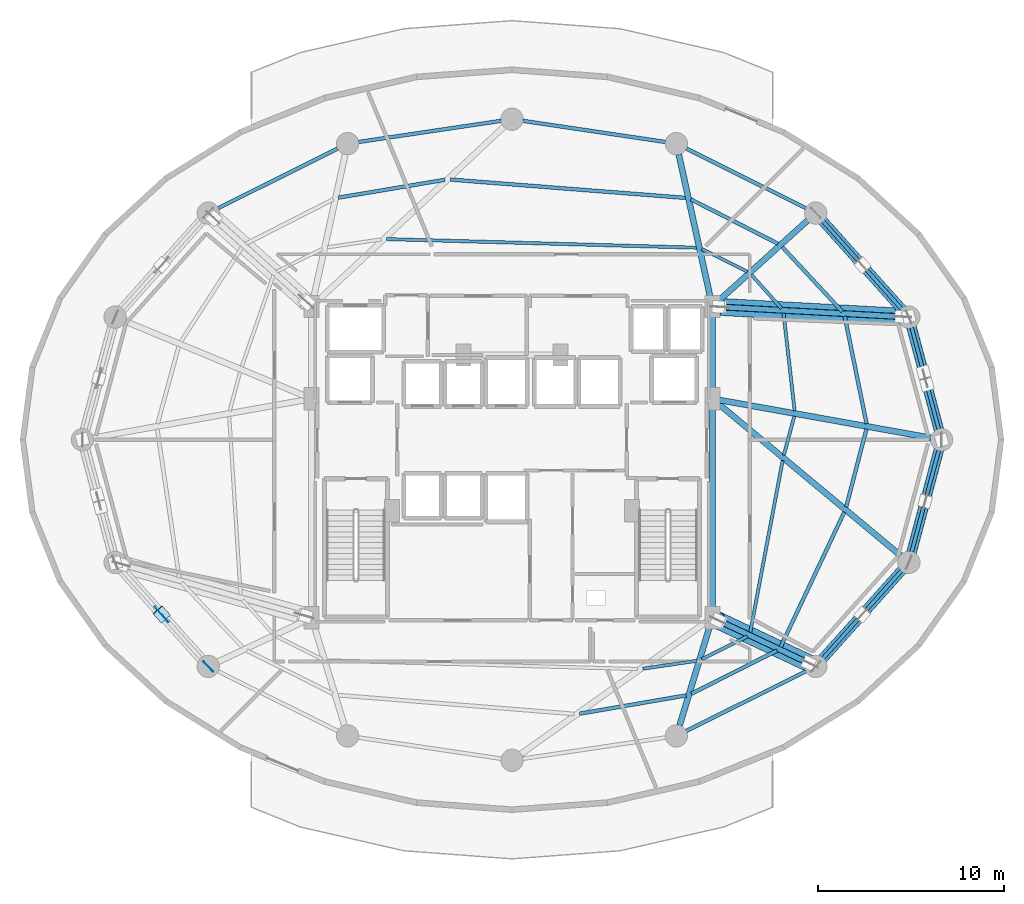
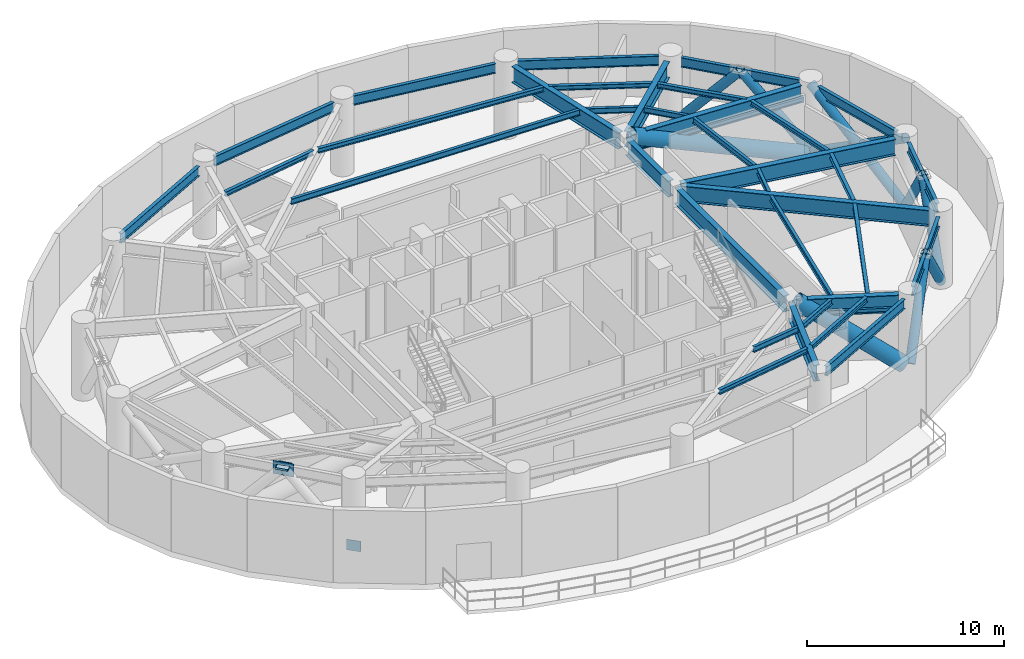
# One storey, part 2 of 10: 35 beams, 13 members, 4 plates.
"""IFC4 building model written with IfcOpenShell, lengths in metres."""

from ifc_helpers import new_model, si_unit, direction, frame, origin, origin_2d, place, context, subcontext, project, spatial, rectangle, hollow_rectangle, hollow_circle, i_section, extrude, material, layer, layer_set, material_profile, profile_set, type_object, element, save


model = new_model("IFC4")

# Units and contexts
model_context = context("Model", 3, precision=1e-05, world=origin(), true_north=direction((0.0, 1.0)))
body_context = subcontext(model_context, "Body", "Model", "MODEL_VIEW")
ifc_project = project(units=[si_unit("LENGTHUNIT", "METRE"), si_unit("AREAUNIT", "SQUARE_METRE"), si_unit("VOLUMEUNIT", "CUBIC_METRE"), si_unit("PLANEANGLEUNIT", "RADIAN"), si_unit("MASSUNIT", "GRAM", prefix="KILO")], contexts=[model_context])

# Site, building, storey
site_placement = place(None, origin())
site = spatial("IfcSite", under=ifc_project, at=site_placement, CompositionType="ELEMENT")
building_placement = place(site_placement, origin())
building = spatial("IfcBuilding", under=site, at=building_placement, Name="Vorneva Point Tower", CompositionType="ELEMENT")
storey_placement = place(building_placement, frame((0.0, 0.0, 69.5)))
storey = spatial("IfcBuildingStorey", under=building, at=storey_placement, Name="L18", CompositionType="ELEMENT", Elevation=69.5)

# Beams
ifc_material_1 = material(Name="Steel S460", Category="steel")
ifc_material_profile_1 = material_profile(ifc_material_1, i_section(OverallWidth=0.320068359375, OverallDepth=0.998046875, WebThickness=0.01708984375, FlangeThickness=0.027099609375, at=origin_2d()), Name="100Sh2")
ifc_profile_set_1 = profile_set([ifc_material_profile_1], Name="Steel S460")
beam_type_1 = type_object("IfcBeamType", Name="BM-GRD-100Sh2", PredefinedType="USERDEFINED", material=ifc_profile_set_1)
beam_1_placement = place(storey_placement, frame((60.47119140625, 26.103515625, 4.0009765625), z_axis=(-0.984377835859, 0.176068953167, 0.0), x_axis=(-0.176068953167, -0.984377835859, 0.0)))
element("IfcBeam", 1, at=beam_1_placement, inside=storey, type_object=beam_type_1, Name="L18 Radial Primary Girder 01", ObjectType="GIRDER", PredefinedType="USERDEFINED", context=body_context, shape_type="SweptSolid", body=[
    extrude(i_section(OverallWidth=0.320068359375, OverallDepth=0.998046875, WebThickness=0.01708984375, FlangeThickness=0.027099609375, at=origin_2d()), origin(), (0.0, 0.0, 1.0), 11.567138671875),
])
beam_2_placement = place(storey_placement, frame((58.708251953125, 32.61376953125, 4.0009765625), z_axis=(-0.998554026855, 0.053757375779, 0.0), x_axis=(-0.053757375779, -0.998554026855, 0.0)))
element("IfcBeam", 2, at=beam_2_placement, inside=storey, type_object=beam_type_1, Name="L18 Radial Primary Girder 02", ObjectType="GIRDER", PredefinedType="USERDEFINED", context=body_context, shape_type="SweptSolid", body=[
    extrude(i_section(OverallWidth=0.320068359375, OverallDepth=0.998046875, WebThickness=0.01708984375, FlangeThickness=0.027099609375, at=origin_2d()), origin(), (0.0, 0.0, 1.0), 9.632568359375),
])
beam_3_placement = place(storey_placement, frame((53.862548828125, 37.76806640625, 4.0009765625), z_axis=(-0.742091876388, -0.670298177678, 0.0), x_axis=(0.670298177678, -0.742091876388, 0.0)))
element("IfcBeam", 3, at=beam_3_placement, inside=storey, type_object=beam_type_1, Name="L18 Radial Primary Girder 03", ObjectType="GIRDER", PredefinedType="USERDEFINED", context=body_context, shape_type="SweptSolid", body=[
    extrude(i_section(OverallWidth=0.320068359375, OverallDepth=0.998046875, WebThickness=0.01708984375, FlangeThickness=0.027099609375, at=origin_2d()), origin(), (0.0, 0.0, 1.0), 6.549560546875),
])
beam_4_placement = place(storey_placement, frame((46.947509765625, 41.31640625, 4.0009765625), z_axis=(0.215535114008, -0.976496090432, 0.0), x_axis=(0.976496090432, 0.215535114008, 0.0)))
element("IfcBeam", 4, at=beam_4_placement, inside=storey, type_object=beam_type_1, Name="L18 Radial Primary Girder 04", ObjectType="GIRDER", PredefinedType="USERDEFINED", context=body_context, shape_type="SweptSolid", body=[
    extrude(i_section(OverallWidth=0.320068359375, OverallDepth=0.998046875, WebThickness=0.01708984375, FlangeThickness=0.027099609375, at=origin_2d()), origin(), (0.0, 0.0, 1.0), 8.02294921875),
])
beam_5_placement = place(storey_placement, frame((46.991943359375, 10.671875, 4.0009765625), z_axis=(0.291059345278, 0.956705000262, 0.0), x_axis=(-0.956705000262, 0.291059345278, 0.0)))
element("IfcBeam", 5, at=beam_5_placement, inside=storey, type_object=beam_type_1, Name="L18 Radial Primary Girder 14", ObjectType="GIRDER", PredefinedType="USERDEFINED", context=body_context, shape_type="SweptSolid", body=[
    extrude(i_section(OverallWidth=0.320068359375, OverallDepth=0.998046875, WebThickness=0.01708984375, FlangeThickness=0.027099609375, at=origin_2d()), origin(), (0.0, 0.0, 1.0), 5.69970703125),
])
beam_6_placement = place(storey_placement, frame((53.766845703125, 14.088134765625, 4.0009765625), z_axis=(-0.904749595176, 0.425943857836, 0.0), x_axis=(-0.425943857836, -0.904749595176, 0.0)))
element("IfcBeam", 6, at=beam_6_placement, inside=storey, type_object=beam_type_1, Name="L18 Radial Primary Girder 15", ObjectType="GIRDER", PredefinedType="USERDEFINED", context=body_context, shape_type="SweptSolid", body=[
    extrude(i_section(OverallWidth=0.320068359375, OverallDepth=0.998046875, WebThickness=0.01708984375, FlangeThickness=0.027099609375, at=origin_2d()), origin(), (0.0, 0.0, 1.0), 5.205078125),
])
beam_7_placement = place(storey_placement, frame((58.843505859375, 19.794189453125, 4.0009765625), z_axis=(-0.768426120274, 0.63993851086, 0.0), x_axis=(-0.63993851086, -0.768426120274, 0.0)))
element("IfcBeam", 7, at=beam_7_placement, inside=storey, type_object=beam_type_1, Name="L18 Radial Primary Girder 16", ObjectType="GIRDER", PredefinedType="USERDEFINED", context=body_context, shape_type="SweptSolid", body=[
    extrude(i_section(OverallWidth=0.320068359375, OverallDepth=0.998046875, WebThickness=0.01708984375, FlangeThickness=0.027099609375, at=origin_2d()), origin(), (0.0, 0.0, 1.0), 12.79541015625),
])
beam_8_placement = place(storey_placement, frame((48.75, 16.77001953125, 4.0009765625), z_axis=(0.0, 1.0, 0.0), x_axis=(-1.0, 0.0, 0.0)))
element("IfcBeam", 8, at=beam_8_placement, inside=storey, type_object=beam_type_1, Name="L18 Core Tie Girder CT3", ObjectType="GIRDER", PredefinedType="USERDEFINED", context=body_context, shape_type="SweptSolid", body=[
    extrude(i_section(OverallWidth=0.320068359375, OverallDepth=0.998046875, WebThickness=0.01708984375, FlangeThickness=0.027099609375, at=origin_2d()), origin(), (0.0, 0.0, 1.0), 11.10986328125),
])
beam_9_placement = place(storey_placement, frame((48.75, 28.52001953125, 4.0009765625), z_axis=(0.0, 1.0, 0.0), x_axis=(-1.0, 0.0, 0.0)))
element("IfcBeam", 9, at=beam_9_placement, inside=storey, type_object=beam_type_1, Name="L18 Core Tie Girder CT4", ObjectType="GIRDER", PredefinedType="USERDEFINED", context=body_context, shape_type="SweptSolid", body=[
    extrude(i_section(OverallWidth=0.320068359375, OverallDepth=0.998046875, WebThickness=0.01708984375, FlangeThickness=0.027099609375, at=origin_2d()), origin(), (0.0, 0.0, 1.0), 4.31005859375),
])
ifc_material_2 = material(Name="Steel S355", Category="steel")
ifc_material_profile_2 = material_profile(ifc_material_2, i_section(OverallWidth=0.199951171875, OverallDepth=0.291015625, WebThickness=0.008056640625, FlangeThickness=0.010986328125, at=origin_2d()), Name="30Sh1")
ifc_profile_set_2 = profile_set([ifc_material_profile_2], Name="Steel S355")
beam_type_2 = type_object("IfcBeamType", Name="BM-SEC-30Sh1", PredefinedType="BEAM", material=ifc_profile_set_2)
beam_10_placement = place(storey_placement, frame((57.025634765625, 26.859619140625, 4.3544921875), z_axis=(-0.199459106431, 0.979906151048, 0.0), x_axis=(-0.979906151048, -0.199459106431, 0.0)))
element("IfcBeam", 10, at=beam_10_placement, inside=storey, type_object=beam_type_2, Name="L18 Secondary Floor Beam 1.01", PredefinedType="BEAM", context=body_context, shape_type="SweptSolid", body=[
    extrude(i_section(OverallWidth=0.199951171875, OverallDepth=0.291015625, WebThickness=0.008056640625, FlangeThickness=0.010986328125, at=origin_2d()), origin(), (0.0, 0.0, 1.0), 5.882568359375),
])
beam_11_placement = place(storey_placement, frame((55.721923828125, 32.877685546875, 4.3544921875), z_axis=(-0.680387715977, 0.732852342527, 0.0), x_axis=(-0.732852342527, -0.680387715977, 0.0)))
element("IfcBeam", 11, at=beam_11_placement, inside=storey, type_object=beam_type_2, Name="L18 Secondary Floor Beam 1.02", PredefinedType="BEAM", context=body_context, shape_type="SweptSolid", body=[
    extrude(i_section(OverallWidth=0.199951171875, OverallDepth=0.291015625, WebThickness=0.008056640625, FlangeThickness=0.010986328125, at=origin_2d()), origin(), (0.0, 0.0, 1.0), 4.727783203125),
])
beam_12_placement = place(storey_placement, frame((52.272705078125, 36.518310546875, 4.3544921875), z_axis=(-0.891098446832, 0.453810046224, 0.0), x_axis=(-0.453810046224, -0.891098446832, 0.0)))
element("IfcBeam", 12, at=beam_12_placement, inside=storey, type_object=beam_type_2, Name="L18 Secondary Floor Beam 1.03", PredefinedType="BEAM", context=body_context, shape_type="SweptSolid", body=[
    extrude(i_section(OverallWidth=0.199951171875, OverallDepth=0.291015625, WebThickness=0.008056640625, FlangeThickness=0.010986328125, at=origin_2d()), origin(), (0.0, 0.0, 1.0), 5.245849609375),
])
beam_13_placement = place(storey_placement, frame((47.31884765625, 38.977783203125, 4.3544921875), z_axis=(-0.996974435271, 0.077730144841, 0.0), x_axis=(-0.077730144841, -0.996974435271, 0.0)))
element("IfcBeam", 13, at=beam_13_placement, inside=storey, type_object=beam_type_2, Name="L18 Secondary Floor Beam 1.04", PredefinedType="BEAM", context=body_context, shape_type="SweptSolid", body=[
    extrude(i_section(OverallWidth=0.199951171875, OverallDepth=0.291015625, WebThickness=0.008056640625, FlangeThickness=0.010986328125, at=origin_2d()), origin(), (0.0, 0.0, 1.0), 12.660888671875),
])
beam_14_placement = place(storey_placement, frame((34.40283203125, 39.94921875, 4.3544921875), z_axis=(-0.986257133608, -0.165217633465, 0.0), x_axis=(0.165217633465, -0.986257133608, 0.0)))
element("IfcBeam", 14, at=beam_14_placement, inside=storey, type_object=beam_type_2, Name="L18 Secondary Floor Beam 1.05", PredefinedType="BEAM", context=body_context, shape_type="SweptSolid", body=[
    extrude(i_section(OverallWidth=0.199951171875, OverallDepth=0.291015625, WebThickness=0.008056640625, FlangeThickness=0.010986328125, at=origin_2d()), origin(), (0.0, 0.0, 1.0), 5.802978515625),
])
beam_15_placement = place(storey_placement, frame((41.623046875, 11.299560546875, 4.3544921875), z_axis=(0.985551523759, 0.16937589562, 0.0), x_axis=(-0.16937589562, 0.985551523759, 0.0)))
element("IfcBeam", 15, at=beam_15_placement, inside=storey, type_object=beam_type_2, Name="L18 Secondary Floor Beam 1.13", PredefinedType="BEAM", context=body_context, shape_type="SweptSolid", body=[
    extrude(i_section(OverallWidth=0.199951171875, OverallDepth=0.291015625, WebThickness=0.008056640625, FlangeThickness=0.010986328125, at=origin_2d()), origin(), (0.0, 0.0, 1.0), 5.8046875),
])
beam_16_placement = place(storey_placement, frame((47.621826171875, 12.374267578125, 4.3544921875), z_axis=(0.893448196493, 0.449166250049, 0.0), x_axis=(-0.449166250049, 0.893448196493, 0.0)))
element("IfcBeam", 16, at=beam_16_placement, inside=storey, type_object=beam_type_2, Name="L18 Secondary Floor Beam 1.14", PredefinedType="BEAM", context=body_context, shape_type="SweptSolid", body=[
    extrude(i_section(OverallWidth=0.199951171875, OverallDepth=0.291015625, WebThickness=0.008056640625, FlangeThickness=0.010986328125, at=origin_2d()), origin(), (0.0, 0.0, 1.0), 5.1484375),
])
beam_17_placement = place(storey_placement, frame((52.417236328125, 14.88720703125, 4.3544921875), z_axis=(0.426970238495, 0.904265677464, 0.0), x_axis=(-0.904265677464, 0.426970238495, 0.0)))
element("IfcBeam", 17, at=beam_17_placement, inside=storey, type_object=beam_type_2, Name="L18 Secondary Floor Beam 1.15", PredefinedType="BEAM", context=body_context, shape_type="SweptSolid", body=[
    extrude(i_section(OverallWidth=0.199951171875, OverallDepth=0.291015625, WebThickness=0.008056640625, FlangeThickness=0.010986328125, at=origin_2d()), origin(), (0.0, 0.0, 1.0), 7.994873046875),
])
beam_18_placement = place(storey_placement, frame((55.93115234375, 22.393798828125, 4.3544921875), z_axis=(0.251800197737, 0.967779241573, 0.0), x_axis=(-0.967779241573, 0.251800197737, 0.0)))
element("IfcBeam", 18, at=beam_18_placement, inside=storey, type_object=beam_type_2, Name="L18 Secondary Floor Beam 1.16", PredefinedType="BEAM", context=body_context, shape_type="SweptSolid", body=[
    extrude(i_section(OverallWidth=0.199951171875, OverallDepth=0.291015625, WebThickness=0.008056640625, FlangeThickness=0.010986328125, at=origin_2d()), origin(), (0.0, 0.0, 1.0), 4.316650390625),
])
ifc_material_profile_3 = material_profile(ifc_material_2, i_section(OverallWidth=0.174072265625, OverallDepth=0.345947265625, WebThickness=0.006103515625, FlangeThickness=0.009033203125, at=origin_2d()), Name="35B1")
ifc_profile_set_3 = profile_set([ifc_material_profile_3], Name="Steel S355")
beam_type_3 = type_object("IfcBeamType", Name="BM-SEC-35B1", PredefinedType="BEAM", material=ifc_profile_set_3)
beam_19_placement = place(storey_placement, frame((53.1669921875, 27.553955078125, 4.326904296875), z_axis=(-0.113279156296, 0.993563200178, 0.0), x_axis=(-0.993563200178, -0.113279156296, 0.0)))
element("IfcBeam", 19, at=beam_19_placement, inside=storey, type_object=beam_type_3, Name="L18 Secondary Floor Beam 2.01", PredefinedType="BEAM", context=body_context, shape_type="SweptSolid", body=[
    extrude(i_section(OverallWidth=0.174072265625, OverallDepth=0.345947265625, WebThickness=0.006103515625, FlangeThickness=0.009033203125, at=origin_2d()), origin(), (0.0, 0.0, 1.0), 5.278076171875),
])
beam_20_placement = place(storey_placement, frame((52.45361328125, 33.0556640625, 4.326904296875), z_axis=(-0.666616780237, 0.745400609275, 0.0), x_axis=(-0.745400609275, -0.666616780237, 0.0)))
element("IfcBeam", 20, at=beam_20_placement, inside=storey, type_object=beam_type_3, Name="L18 Secondary Floor Beam 2.02", PredefinedType="BEAM", context=body_context, shape_type="SweptSolid", body=[
    extrude(i_section(OverallWidth=0.174072265625, OverallDepth=0.345947265625, WebThickness=0.006103515625, FlangeThickness=0.009033203125, at=origin_2d()), origin(), (0.0, 0.0, 1.0), 2.40478515625),
])
beam_21_placement = place(storey_placement, frame((50.619384765625, 35.0244140625, 4.326904296875), z_axis=(-0.895073036593, 0.445919565802, 0.0), x_axis=(-0.445919565802, -0.895073036593, 0.0)))
element("IfcBeam", 21, at=beam_21_placement, inside=storey, type_object=beam_type_3, Name="L18 Secondary Floor Beam 2.03", PredefinedType="BEAM", context=body_context, shape_type="SweptSolid", body=[
    extrude(i_section(OverallWidth=0.174072265625, OverallDepth=0.345947265625, WebThickness=0.006103515625, FlangeThickness=0.009033203125, at=origin_2d()), origin(), (0.0, 0.0, 1.0), 2.7177734375),
])
beam_22_placement = place(storey_placement, frame((47.90625, 36.306396484375, 4.326904296875), z_axis=(-0.999615471942, 0.027729194986, 0.0), x_axis=(-0.027729194986, -0.999615471942, 0.0)))
element("IfcBeam", 22, at=beam_22_placement, inside=storey, type_object=beam_type_3, Name="L18 Secondary Floor Beam 2.04", PredefinedType="BEAM", context=body_context, shape_type="SweptSolid", body=[
    extrude(i_section(OverallWidth=0.174072265625, OverallDepth=0.345947265625, WebThickness=0.006103515625, FlangeThickness=0.009033203125, at=origin_2d()), origin(), (0.0, 0.0, 1.0), 16.640380859375),
])
beam_23_placement = place(storey_placement, frame((45.021484375, 13.714111328125, 4.326904296875), z_axis=(0.989289571065, 0.145966244665, 0.0), x_axis=(-0.145966244665, 0.989289571065, 0.0)))
element("IfcBeam", 23, at=beam_23_placement, inside=storey, type_object=beam_type_3, Name="L18 Secondary Floor Beam 2.13", PredefinedType="BEAM", context=body_context, shape_type="SweptSolid", body=[
    extrude(i_section(OverallWidth=0.174072265625, OverallDepth=0.345947265625, WebThickness=0.006103515625, FlangeThickness=0.009033203125, at=origin_2d()), origin(), (0.0, 0.0, 1.0), 2.9169921875),
])
beam_24_placement = place(storey_placement, frame((48.186279296875, 14.227783203125, 4.326904296875), z_axis=(0.894983001819, 0.446100242608, 0.0), x_axis=(-0.446100242608, 0.894983001819, 0.0)))
element("IfcBeam", 24, at=beam_24_placement, inside=storey, type_object=beam_type_3, Name="L18 Secondary Floor Beam 2.14", PredefinedType="BEAM", context=body_context, shape_type="SweptSolid", body=[
    extrude(i_section(OverallWidth=0.174072265625, OverallDepth=0.345947265625, WebThickness=0.006103515625, FlangeThickness=0.009033203125, at=origin_2d()), origin(), (0.0, 0.0, 1.0), 2.719970703125),
])
beam_25_placement = place(storey_placement, frame((50.780517578125, 15.652587890625, 4.326904296875), z_axis=(0.185425368342, 0.982658349975, 0.0), x_axis=(-0.982658349975, 0.185425368342, 0.0)))
element("IfcBeam", 25, at=beam_25_placement, inside=storey, type_object=beam_type_3, Name="L18 Secondary Floor Beam 2.15", PredefinedType="BEAM", context=body_context, shape_type="SweptSolid", body=[
    extrude(i_section(OverallWidth=0.174072265625, OverallDepth=0.345947265625, WebThickness=0.006103515625, FlangeThickness=0.009033203125, at=origin_2d()), origin(), (0.0, 0.0, 1.0), 9.399658203125),
])
beam_26_placement = place(storey_placement, frame((52.589111328125, 25.177490234375, 4.326904296875), z_axis=(0.257775239001, 0.966204908991, 0.0), x_axis=(-0.966204908991, 0.257775239001, 0.0)))
element("IfcBeam", 26, at=beam_26_placement, inside=storey, type_object=beam_type_3, Name="L18 Secondary Floor Beam 2.16", PredefinedType="BEAM", context=body_context, shape_type="SweptSolid", body=[
    extrude(i_section(OverallWidth=0.174072265625, OverallDepth=0.345947265625, WebThickness=0.006103515625, FlangeThickness=0.009033203125, at=origin_2d()), origin(), (0.0, 0.0, 1.0), 2.159423828125),
])
ifc_material_profile_4 = material_profile(ifc_material_2, i_section(OverallWidth=0.198974609375, OverallDepth=0.595947265625, WebThickness=0.010009765625, FlangeThickness=0.014892578125, at=origin_2d()), Name="60B1")
ifc_profile_set_4 = profile_set([ifc_material_profile_4], Name="Steel S355")
beam_type_4 = type_object("IfcBeamType", Name="BM-SPN-60B1", PredefinedType="SPANDREL", material=ifc_profile_set_4)
beam_27_placement = place(storey_placement, frame((60.8994140625, 26.565185546875, 4.201904296875), z_axis=(-0.257595318742, 0.96625289224, 0.0), x_axis=(-0.96625289224, -0.257595318742, 0.0)))
element("IfcBeam", 27, at=beam_27_placement, inside=storey, type_object=beam_type_4, Name="L18 Perimeter Spandrel Ring Beam 01", PredefinedType="SPANDREL", context=body_context, shape_type="SweptSolid", body=[
    extrude(i_section(OverallWidth=0.198974609375, OverallDepth=0.595947265625, WebThickness=0.010009765625, FlangeThickness=0.014892578125, at=origin_2d()), origin(), (0.0, 0.0, 1.0), 5.64208984375),
])
beam_28_placement = place(storey_placement, frame((58.9052734375, 33.01806640625, 4.201904296875), z_axis=(-0.667116603584, 0.744953312109, 0.0), x_axis=(-0.744953312109, -0.667116603584, 0.0)))
element("IfcBeam", 28, at=beam_28_placement, inside=storey, type_object=beam_type_4, Name="L18 Perimeter Spandrel Ring Beam 02", PredefinedType="SPANDREL", context=body_context, shape_type="SweptSolid", body=[
    extrude(i_section(OverallWidth=0.198974609375, OverallDepth=0.595947265625, WebThickness=0.010009765625, FlangeThickness=0.014892578125, at=origin_2d()), origin(), (0.0, 0.0, 1.0), 6.3203125),
])
beam_29_placement = place(storey_placement, frame((53.775390625, 38.423095703125, 4.201904296875), z_axis=(-0.894922668731, 0.446221264611, 0.0), x_axis=(-0.446221264611, -0.894922668731, 0.0)))
element("IfcBeam", 29, at=beam_29_placement, inside=storey, type_object=beam_type_4, Name="L18 Perimeter Spandrel Ring Beam 03", PredefinedType="SPANDREL", context=body_context, shape_type="SweptSolid", body=[
    extrude(i_section(OverallWidth=0.198974609375, OverallDepth=0.595947265625, WebThickness=0.010009765625, FlangeThickness=0.014892578125, at=origin_2d()), origin(), (0.0, 0.0, 1.0), 7.18603515625),
])
for number, where, z_axis, x_axis, name in (
    (30, (46.2421875, 41.9765625, 4.201904296875), (-0.989164004747, 0.146814753046, 0.0), (-0.146814753046, -0.989164004747, 0.0), "L18 Perimeter Spandrel Ring Beam 04"),
    (31, (37.42138671875, 43.114013671875, 4.201904296875), (-0.989164004747, -0.146814753046, 0.0), (0.146814753046, -0.989164004747, 0.0), "L18 Perimeter Spandrel Ring Beam 05"),
):
    element("IfcBeam", number, at=place(storey_placement, frame(where, z_axis=z_axis, x_axis=x_axis)), inside=storey, type_object=beam_type_4, Name=name, PredefinedType="SPANDREL", context=body_context, shape_type="SweptSolid", body=[
        extrude(i_section(OverallWidth=0.198974609375, OverallDepth=0.595947265625, WebThickness=0.010009765625, FlangeThickness=0.014892578125, at=origin_2d()), origin(), (0.0, 0.0, 1.0), 7.74755859375),
    ])
for number, where, z_axis, x_axis, name in (
    (32, (28.655517578125, 41.629638671875, 4.201904296875), (-0.894922668731, -0.446221264611, 0.0), (0.446221264611, -0.894922668731, 0.0), "L18 Perimeter Spandrel Ring Beam 06"),
    (33, (47.344482421875, 10.370361328125, 4.201904296875), (0.894922668731, 0.446221264611, 0.0), (-0.446221264611, 0.894922668731, 0.0), "L18 Perimeter Spandrel Ring Beam 14"),
):
    element("IfcBeam", number, at=place(storey_placement, frame(where, z_axis=z_axis, x_axis=x_axis)), inside=storey, type_object=beam_type_4, Name=name, PredefinedType="SPANDREL", context=body_context, shape_type="SweptSolid", body=[
        extrude(i_section(OverallWidth=0.198974609375, OverallDepth=0.595947265625, WebThickness=0.010009765625, FlangeThickness=0.014892578125, at=origin_2d()), origin(), (0.0, 0.0, 1.0), 7.18603515625),
    ])
beam_30_placement = place(storey_placement, frame((54.68896484375, 14.273681640625, 4.201904296875), z_axis=(0.667116603584, 0.744953312109, 0.0), x_axis=(-0.744953312109, 0.667116603584, 0.0)))
element("IfcBeam", 34, at=beam_30_placement, inside=storey, type_object=beam_type_4, Name="L18 Perimeter Spandrel Ring Beam 15", PredefinedType="SPANDREL", context=body_context, shape_type="SweptSolid", body=[
    extrude(i_section(OverallWidth=0.198974609375, OverallDepth=0.595947265625, WebThickness=0.010009765625, FlangeThickness=0.014892578125, at=origin_2d()), origin(), (0.0, 0.0, 1.0), 6.3203125),
])
beam_31_placement = place(storey_placement, frame((59.446044921875, 19.983154296875, 4.201904296875), z_axis=(0.257595318742, 0.96625289224, 0.0), x_axis=(-0.96625289224, 0.257595318742, 0.0)))
element("IfcBeam", 35, at=beam_31_placement, inside=storey, type_object=beam_type_4, Name="L18 Perimeter Spandrel Ring Beam 16", PredefinedType="SPANDREL", context=body_context, shape_type="SweptSolid", body=[
    extrude(i_section(OverallWidth=0.198974609375, OverallDepth=0.595947265625, WebThickness=0.010009765625, FlangeThickness=0.014892578125, at=origin_2d()), origin(), (0.0, 0.0, 1.0), 5.64208984375),
])

# Members
ifc_material_profile_5 = material_profile(ifc_material_1, hollow_circle(Radius=0.264892578125, WallThickness=0.02001953125, at=origin_2d()), Name="CHS 530x20")
ifc_profile_set_5 = profile_set([ifc_material_profile_5], Name="Steel S460")
member_type_1 = type_object("IfcMemberType", Name="MBR-BLT-CHS530", PredefinedType="BRACE", material=ifc_profile_set_5)
member_1_placement = place(storey_placement, frame((61.050048828125, 26.0, 0.1201171875), z_axis=(-0.218821253667, 0.820876557691, 0.527521502858), x_axis=(-0.966258134442, -0.257575654176, 0.0)))
element("IfcMember", 36, at=member_1_placement, inside=storey, type_object=member_type_1, Name="L18 Perimeter Belt-Truss Continuous X-Brace 01A", PredefinedType="BRACE", context=body_context, shape_type="SweptSolid", body=[
    extrude(hollow_circle(Radius=0.264892578125, WallThickness=0.02001953125, at=origin_2d()), origin(), (0.0, 0.0, 1.0), 8.0185546875),
])
for number, where, z_axis, x_axis, name in (
    (37, (59.29541015625, 32.582275390625, 0.1201171875), (0.218815917235, -0.820884596043, 0.52751120779), (0.966260325527, 0.257567434494, 0.0), "L18 Perimeter Belt-Truss Split X-Brace 01B1"),
    (38, (60.26904296875, 28.929931640625, 2.467041015625), (0.21880802173, -0.820854976175, 0.527560572556), (0.966260325527, 0.257567434494, 0.0), "L18 Perimeter Belt-Truss Split X-Brace 01B2"),
):
    element("IfcMember", number, at=place(storey_placement, frame(where, z_axis=z_axis, x_axis=x_axis)), inside=storey, type_object=member_type_1, Name=name, PredefinedType="BRACE", context=body_context, shape_type="SweptSolid", body=[
        extrude(hollow_circle(Radius=0.264892578125, WallThickness=0.02001953125, at=origin_2d()), origin(), (0.0, 0.0, 1.0), 3.5693359375),
    ])
member_2_placement = place(storey_placement, frame((59.29541015625, 32.582275390625, 0.1201171875), z_axis=(-0.442203032293, 0.493843081505, 0.748715893434), x_axis=(-0.744983810219, -0.6670825455, 0.0)))
element("IfcMember", 39, at=member_2_placement, inside=storey, type_object=member_type_1, Name="L18 Perimeter Belt-Truss Diagonal 02A", PredefinedType="BRACE", context=body_context, shape_type="SweptSolid", body=[
    extrude(hollow_circle(Radius=0.264892578125, WallThickness=0.02001953125, at=origin_2d()), origin(), (0.0, 0.0, 1.0), 5.649658203125),
])
for number, where, z_axis, x_axis, name in (
    (40, (54.298828125, 38.162109375, 0.1201171875), (0.442212469084, -0.493810405963, 0.748731871333), (0.744954798906, 0.66711494331, 0.0), "L18 Perimeter Belt-Truss Diagonal 02B"),
    (41, (54.298828125, 13.837890625, 0.1201171875), (0.442212469084, 0.493810405963, 0.748731871333), (-0.744954798906, 0.66711494331, 0.0), "L18 Perimeter Belt-Truss Diagonal 15A"),
):
    element("IfcMember", number, at=place(storey_placement, frame(where, z_axis=z_axis, x_axis=x_axis)), inside=storey, type_object=member_type_1, Name=name, PredefinedType="BRACE", context=body_context, shape_type="SweptSolid", body=[
        extrude(hollow_circle(Radius=0.264892578125, WallThickness=0.02001953125, at=origin_2d()), origin(), (0.0, 0.0, 1.0), 5.6494140625),
    ])
member_3_placement = place(storey_placement, frame((59.29541015625, 19.417724609375, 0.1201171875), z_axis=(-0.442203032293, -0.493843081505, 0.748715893434), x_axis=(0.744983810219, -0.6670825455, 0.0)))
element("IfcMember", 42, at=member_3_placement, inside=storey, type_object=member_type_1, Name="L18 Perimeter Belt-Truss Diagonal 15B", PredefinedType="BRACE", context=body_context, shape_type="SweptSolid", body=[
    extrude(hollow_circle(Radius=0.264892578125, WallThickness=0.02001953125, at=origin_2d()), origin(), (0.0, 0.0, 1.0), 5.649658203125),
])
member_4_placement = place(storey_placement, frame((59.29541015625, 19.417724609375, 0.1201171875), z_axis=(0.161519889588, 0.606025502794, 0.778873812136), x_axis=(-0.96626943078, 0.257533273851, 0.0)))
element("IfcMember", 43, at=member_4_placement, inside=storey, type_object=member_type_1, Name="L18 Perimeter Belt-Truss Diagonal 16A", PredefinedType="BRACE", context=body_context, shape_type="SweptSolid", body=[
    extrude(hollow_circle(Radius=0.264892578125, WallThickness=0.02001953125, at=origin_2d()), origin(), (0.0, 0.0, 1.0), 5.430908203125),
])
member_5_placement = place(storey_placement, frame((61.050048828125, 26.0, 0.1201171875), z_axis=(-0.161568071846, -0.605992656786, 0.778889374739), x_axis=(0.966246835672, -0.257618036158, 0.0)))
element("IfcMember", 44, at=member_5_placement, inside=storey, type_object=member_type_1, Name="L18 Perimeter Belt-Truss Diagonal 16B", PredefinedType="BRACE", context=body_context, shape_type="SweptSolid", body=[
    extrude(hollow_circle(Radius=0.264892578125, WallThickness=0.02001953125, at=origin_2d()), origin(), (0.0, 0.0, 1.0), 5.4306640625),
])
ifc_material_profile_6 = material_profile(ifc_material_1, hollow_circle(Radius=0.4599609375, WallThickness=0.031982421875, at=origin_2d()), Name="CHS 920x32")
ifc_profile_set_6 = profile_set([ifc_material_profile_6], Name="Steel S460")
member_type_2 = type_object("IfcMemberType", Name="MBR-OUT-CHS920", PredefinedType="BRACE", material=ifc_profile_set_6)
member_6_placement = place(storey_placement, frame((49.099609375, 33.131103515625, 4.35009765625), z_axis=(0.917678828702, -0.049399472777, -0.394240103796), x_axis=(0.053753069566, 0.998554258672, 0.0)))
element("IfcMember", 45, at=member_6_placement, inside=storey, type_object=member_type_2, Name="L18 Core Outrigger Diagonal 02A", PredefinedType="BRACE", context=body_context, shape_type="SweptSolid", body=[
    extrude(hollow_circle(Radius=0.4599609375, WallThickness=0.031982421875, at=origin_2d()), origin(), (0.0, 0.0, 1.0), 10.7294921875),
])
member_7_placement = place(storey_placement, frame((49.066650390625, 16.30078125, 4.35009765625), z_axis=(0.713899496205, -0.336065333517, -0.61433508847), x_axis=(0.425913894715, 0.904763700802, 0.0)))
element("IfcMember", 46, at=member_7_placement, inside=storey, type_object=member_type_2, Name="L18 Core Outrigger Diagonal 15A", PredefinedType="BRACE", context=body_context, shape_type="SweptSolid", body=[
    extrude(hollow_circle(Radius=0.4599609375, WallThickness=0.031982421875, at=origin_2d()), origin(), (0.0, 0.0, 1.0), 6.885498046875),
])
ifc_material_profile_7 = material_profile(ifc_material_2, hollow_rectangle(XDim=0.300048828125, YDim=0.300048828125, WallThickness=0.013916015625, at=origin_2d()), Name="PK 300x300x14")
ifc_profile_set_7 = profile_set([ifc_material_profile_7], Name="Steel S355")
member_type_3 = type_object("IfcMemberType", Name="MBR-STR-PK300", PredefinedType="STRUT", material=ifc_profile_set_7)
member_8_placement = place(storey_placement, frame((49.19921875, 33.125732421875, 3.570068359375), z_axis=(0.998554359032, -0.053751205185, 0.0), x_axis=(0.053751205185, 0.998554359032, 0.0)))
element("IfcMember", 47, at=member_8_placement, inside=storey, type_object=member_type_3, Name="L18 Core Outrigger Collector Strut 02B", PredefinedType="STRUT", context=body_context, shape_type="SweptSolid", body=[
    extrude(hollow_rectangle(XDim=0.300048828125, YDim=0.300048828125, WallThickness=0.013916015625, at=origin_2d()), origin(), (0.0, 0.0, 1.0), 9.660888671875),
])
member_9_placement = place(storey_placement, frame((49.156982421875, 16.25830078125, 3.570068359375), z_axis=(0.904766886759, -0.425907126758, 0.0), x_axis=(0.425907126758, 0.904766886759, 0.0)))
element("IfcMember", 48, at=member_9_placement, inside=storey, type_object=member_type_3, Name="L18 Core Outrigger Collector Strut 15B", PredefinedType="STRUT", context=body_context, shape_type="SweptSolid", body=[
    extrude(hollow_rectangle(XDim=0.300048828125, YDim=0.300048828125, WallThickness=0.013916015625, at=origin_2d()), origin(), (0.0, 0.0, 1.0), 5.23291015625),
])

# Plates
ifc_layer_1 = layer(ifc_material_2, 0.028076171875)
ifc_layer_set_1 = layer_set([ifc_layer_1], Name="Steel S355")
plate_type_1 = type_object("IfcPlateType", Name="PLT-CAP-INT", PredefinedType="USERDEFINED", material=ifc_layer_set_1)
for number, where, z_axis, x_axis, name in (
    (49, (19.21630859375, 16.613037109375, 4.31640625), (0.0, 0.0, 1.0), (0.667091755948, -0.744975562784, 0.0), "L18 Perimeter Belt-Truss Diagonal 10A end closure plate 2"),
    (50, (19.189697265625, 16.642578125, 4.31640625), (0.0, 0.0, 1.0), (-0.667091755948, 0.744975562784, 0.0), "L18 Perimeter Belt-Truss Diagonal 10B end closure plate 2"),
):
    element("IfcPlate", number, at=place(storey_placement, frame(where, z_axis=z_axis, x_axis=x_axis)), inside=storey, type_object=plate_type_1, Name=name, ObjectType="BASE PLATE", PredefinedType="USERDEFINED", context=body_context, shape_type="SweptSolid", body=[
        extrude(rectangle(XDim=0.64990234375, YDim=0.64990234375, at=origin_2d()), origin(), (0.0, 0.0, 1.0), 0.112060546875),
    ])
ifc_layer_2 = layer(ifc_material_1, 0.031982421875)
ifc_layer_set_2 = layer_set([ifc_layer_2], Name="Steel S460")
plate_type_2 = type_object("IfcPlateType", Name="PLT-GUS-32", PredefinedType="USERDEFINED", material=ifc_layer_set_2)
plate_1_placement = place(storey_placement, frame((19.202880859375, 16.627685546875, 3.81005859375), z_axis=(0.0, 0.0, 1.0), x_axis=(0.667091755948, -0.744975562784, 0.0)))
element("IfcPlate", 51, at=plate_1_placement, inside=storey, type_object=plate_type_2, Name="L18 Belt-Truss Apex Gusset Plate 10", ObjectType="GUSSET PLATE", PredefinedType="USERDEFINED", context=body_context, shape_type="SweptSolid", body=[
    extrude(rectangle(XDim=1.10009765625, YDim=0.031982421875, at=origin_2d()), origin(), (0.0, 0.0, 1.0), 0.800048828125),
])
plate_2_placement = place(storey_placement, frame((21.701171875, 13.837890625, -0.054931640625), z_axis=(0.0, 0.0, 1.0), x_axis=(0.707106781187, -0.707106781187, 0.0)))
element("IfcPlate", 52, at=plate_2_placement, inside=storey, type_object=plate_type_2, Name="L18 Belt-Truss Column Base Gusset Plate 11", ObjectType="GUSSET PLATE", PredefinedType="USERDEFINED", context=body_context, shape_type="SweptSolid", body=[
    extrude(rectangle(XDim=0.75, YDim=0.031982421875, at=origin_2d()), origin(), (0.0, 0.0, 1.0), 0.64990234375),
])

save(model, "model.ifc")
